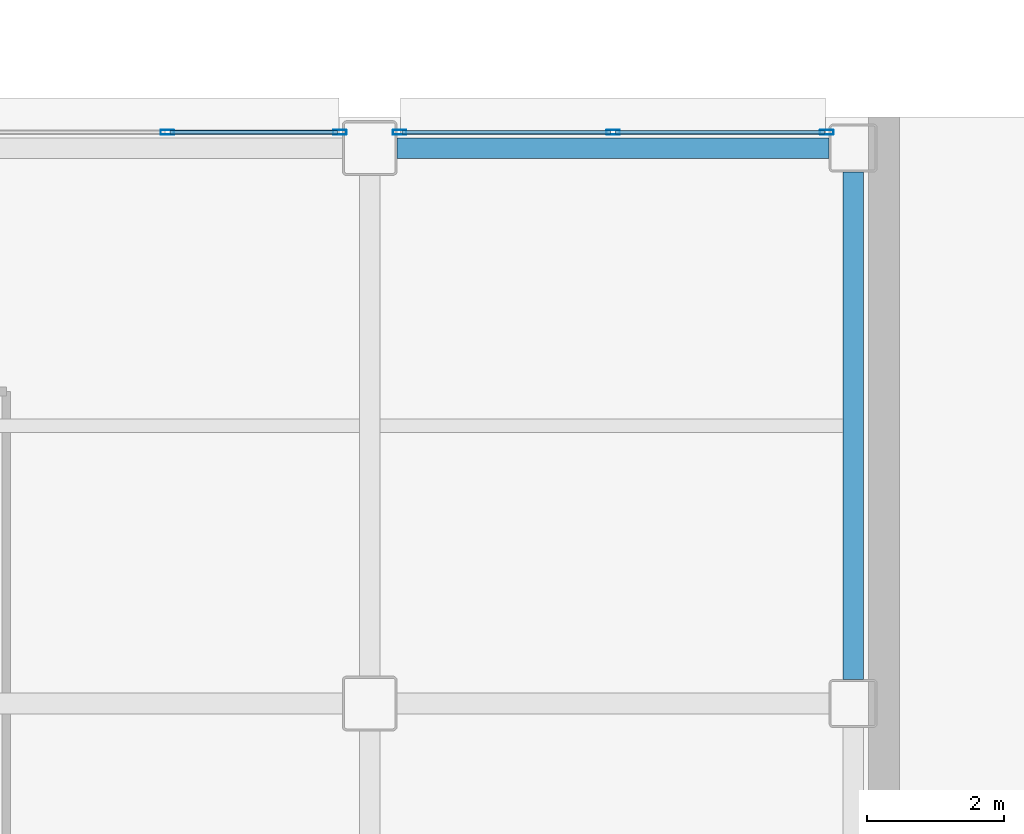
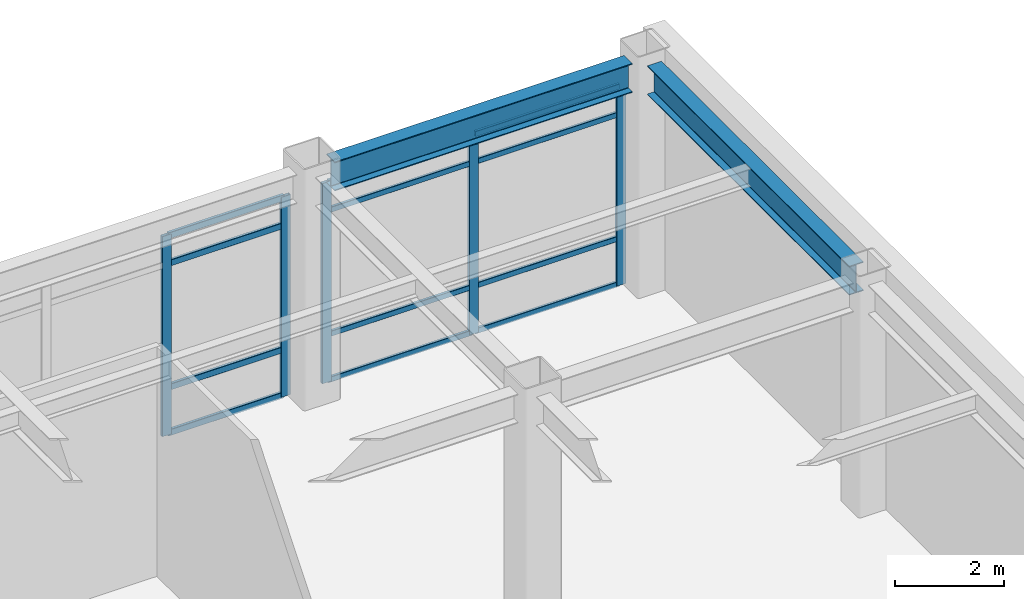
# One storey, part 108 of 165: 17 members, 2 beams, 2 elements without a shape of their own.
"""IFC4 building model written with IfcOpenShell, lengths in metres."""

from ifc_helpers import new_model, si_unit, direction, frame, origin, origin_2d, place, context, subcontext, project, spatial, hollow_rectangle, i_section, extrude, material, layer, layer_set, material_profile, profile_set, type_object, element, aggregate, save


model = new_model("IFC4")

# Units and contexts
model_context = context("Model", 3, precision=1e-05, world=origin(), true_north=direction((0.0, 1.0)))
body_context = subcontext(model_context, "Body", "Model", "MODEL_VIEW")
ifc_project = project(units=[si_unit("LENGTHUNIT", "METRE"), si_unit("AREAUNIT", "SQUARE_METRE"), si_unit("VOLUMEUNIT", "CUBIC_METRE"), si_unit("PLANEANGLEUNIT", "RADIAN"), si_unit("MASSUNIT", "GRAM", prefix="KILO")], contexts=[model_context])

# Site, building, storey
site_placement = place(None, origin())
site = spatial("IfcSite", under=ifc_project, at=site_placement, CompositionType="ELEMENT")
building_placement = place(site_placement, origin())
building = spatial("IfcBuilding", under=site, at=building_placement, Name="Kazehara Bluff Congress Hotel", CompositionType="ELEMENT")
storey_placement = place(building_placement, origin())
storey = spatial("IfcBuildingStorey", under=building, at=storey_placement, Name="L00", CompositionType="ELEMENT", Elevation=0.0)

# Curtain wall, members
ifc_material_1 = material(Name="Anodised aluminium", Category="aluminium")
ifc_layer_1 = layer(ifc_material_1, 0.159912109375)
ifc_layer_set_1 = layer_set([ifc_layer_1], Name="Anodised aluminium")
curtain_wall_type_1 = type_object("IfcCurtainWallType", Name="TP-CW-19", PredefinedType="NOTDEFINED", material=ifc_layer_set_1)
curtain_wall_1_placement = place(storey_placement, origin())
curtain_wall_1 = element("IfcCurtainWall", 1, at=curtain_wall_1_placement, inside=storey, type_object=curtain_wall_type_1, Name="L00 curtain wall CW-19 CW-ENC-V5-L00-15627-11378", PredefinedType="NOTDEFINED")
ifc_material_2 = material(Name="Anodised aluminium", Category="aluminium")
ifc_material_profile_1 = material_profile(ifc_material_2, hollow_rectangle(XDim=0.070068359375, YDim=0.199951171875, WallThickness=0.0048828125, InnerFilletRadius=0.0048828125, OuterFilletRadius=0.010009765625, at=origin_2d()))
ifc_profile_set_1 = profile_set([ifc_material_profile_1], Name="Anodised aluminium")
member_type_1 = type_object("IfcMemberType", Name="TP-CWM-03", PredefinedType="MULLION", material=ifc_profile_set_1)
member_1_placement = place(storey_placement, frame((157.550048828125, 113.780029296875, 0.0), z_axis=(0.0, 0.0, 1.0), x_axis=(0.0, 1.0, 0.0)))
member_1 = element("IfcMember", 2, at=member_1_placement, type_object=member_type_1, Name="CW-19 mullion 3", PredefinedType="MULLION", context=body_context, shape_type="SweptSolid", body=[
    extrude(hollow_rectangle(XDim=0.070068359375, YDim=0.199951171875, WallThickness=0.0048828125, InnerFilletRadius=0.0048828125, OuterFilletRadius=0.010009765625, at=origin_2d()), origin(), (0.0, 0.0, 1.0), 4.47509765625),
])
member_2_placement = place(storey_placement, frame((160.06494140625, 113.780029296875, 0.0), z_axis=(0.0, 0.0, 1.0), x_axis=(0.0, 1.0, 0.0)))
member_2 = element("IfcMember", 3, at=member_2_placement, type_object=member_type_1, Name="CW-19 mullion 4", PredefinedType="MULLION", context=body_context, shape_type="SweptSolid", body=[
    extrude(hollow_rectangle(XDim=0.070068359375, YDim=0.199951171875, WallThickness=0.0048828125, InnerFilletRadius=0.0048828125, OuterFilletRadius=0.010009765625, at=origin_2d()), origin(), (0.0, 0.0, 1.0), 4.47509765625),
])

ifc_material_3 = material(Name="Anodised aluminium", Category="aluminium")
ifc_layer_2 = layer(ifc_material_3, 0.159912109375)
ifc_layer_set_2 = layer_set([ifc_layer_2], Name="Anodised aluminium")
curtain_wall_type_2 = type_object("IfcCurtainWallType", Name="TP-CW-99", PredefinedType="NOTDEFINED", material=ifc_layer_set_2)
curtain_wall_2_placement = place(storey_placement, origin())
curtain_wall_2 = element("IfcCurtainWall", 4, at=curtain_wall_2_placement, inside=storey, type_object=curtain_wall_type_2, Name="L00 curtain wall CW-99 CW-ENC-V5-L00-16405-11378", PredefinedType="NOTDEFINED")
member_3_placement = place(storey_placement, frame((160.93505859375, 113.780029296875, 0.0), z_axis=(0.0, 0.0, 1.0), x_axis=(0.0, 1.0, 0.0)))
member_3 = element("IfcMember", 5, at=member_3_placement, type_object=member_type_1, Name="CW-99 mullion 1", PredefinedType="MULLION", context=body_context, shape_type="SweptSolid", body=[
    extrude(hollow_rectangle(XDim=0.070068359375, YDim=0.199951171875, WallThickness=0.0048828125, InnerFilletRadius=0.0048828125, OuterFilletRadius=0.010009765625, at=origin_2d()), origin(), (0.0, 0.0, 1.0), 4.47509765625),
])
member_4_placement = place(storey_placement, frame((164.050048828125, 113.780029296875, 0.0), z_axis=(0.0, 0.0, 1.0), x_axis=(0.0, 1.0, 0.0)))
member_4 = element("IfcMember", 6, at=member_4_placement, type_object=member_type_1, Name="CW-99 mullion 2", PredefinedType="MULLION", context=body_context, shape_type="SweptSolid", body=[
    extrude(hollow_rectangle(XDim=0.070068359375, YDim=0.199951171875, WallThickness=0.0048828125, InnerFilletRadius=0.0048828125, OuterFilletRadius=0.010009765625, at=origin_2d()), origin(), (0.0, 0.0, 1.0), 4.47509765625),
])
member_5_placement = place(storey_placement, frame((167.1650390625, 113.780029296875, 0.0), z_axis=(0.0, 0.0, 1.0), x_axis=(0.0, 1.0, 0.0)))
member_5 = element("IfcMember", 7, at=member_5_placement, type_object=member_type_1, Name="CW-99 mullion 3", PredefinedType="MULLION", context=body_context, shape_type="SweptSolid", body=[
    extrude(hollow_rectangle(XDim=0.070068359375, YDim=0.199951171875, WallThickness=0.0048828125, InnerFilletRadius=0.0048828125, OuterFilletRadius=0.010009765625, at=origin_2d()), origin(), (0.0, 0.0, 1.0), 4.47509765625),
])
ifc_material_4 = material(Name="Anodised aluminium", Category="aluminium")
ifc_material_profile_2 = material_profile(ifc_material_4, hollow_rectangle(XDim=0.06005859375, YDim=0.1201171875, WallThickness=0.00390625, InnerFilletRadius=0.00390625, OuterFilletRadius=0.008056640625, at=origin_2d()))
ifc_profile_set_2 = profile_set([ifc_material_profile_2], Name="Anodised aluminium")
member_type_2 = type_object("IfcMemberType", Name="TP-CWT-01", PredefinedType="USERDEFINED", material=ifc_profile_set_2)
member_6_placement = place(storey_placement, frame((160.969970703125, 113.780029296875, 0.030029296875), z_axis=(1.0, 0.0, 0.0), x_axis=(0.0, 1.0, 0.0)))
member_6 = element("IfcMember", 8, at=member_6_placement, type_object=member_type_2, Name="CW-99 transom 1.1", ObjectType="TRANSOM", PredefinedType="USERDEFINED", context=body_context, shape_type="SweptSolid", body=[
    extrude(hollow_rectangle(XDim=0.06005859375, YDim=0.1201171875, WallThickness=0.00390625, InnerFilletRadius=0.00390625, OuterFilletRadius=0.008056640625, at=origin_2d()), origin(), (0.0, 0.0, 1.0), 3.044921875),
])
member_7_placement = place(storey_placement, frame((160.969970703125, 113.780029296875, 1.050048828125), z_axis=(1.0, 0.0, 0.0), x_axis=(0.0, 1.0, 0.0)))
member_7 = element("IfcMember", 9, at=member_7_placement, type_object=member_type_2, Name="CW-99 transom 1.2", ObjectType="TRANSOM", PredefinedType="USERDEFINED", context=body_context, shape_type="SweptSolid", body=[
    extrude(hollow_rectangle(XDim=0.06005859375, YDim=0.1201171875, WallThickness=0.00390625, InnerFilletRadius=0.00390625, OuterFilletRadius=0.008056640625, at=origin_2d()), origin(), (0.0, 0.0, 1.0), 3.044921875),
])
member_8_placement = place(storey_placement, frame((160.969970703125, 113.780029296875, 3.824951171875), z_axis=(1.0, 0.0, 0.0), x_axis=(0.0, 1.0, 0.0)))
member_8 = element("IfcMember", 10, at=member_8_placement, type_object=member_type_2, Name="CW-99 transom 1.3", ObjectType="TRANSOM", PredefinedType="USERDEFINED", context=body_context, shape_type="SweptSolid", body=[
    extrude(hollow_rectangle(XDim=0.06005859375, YDim=0.1201171875, WallThickness=0.00390625, InnerFilletRadius=0.00390625, OuterFilletRadius=0.008056640625, at=origin_2d()), origin(), (0.0, 0.0, 1.0), 3.044921875),
])
member_9_placement = place(storey_placement, frame((160.969970703125, 113.780029296875, 4.445068359375), z_axis=(1.0, 0.0, 0.0), x_axis=(0.0, 1.0, 0.0)))
member_9 = element("IfcMember", 11, at=member_9_placement, type_object=member_type_2, Name="CW-99 transom 1.4", ObjectType="TRANSOM", PredefinedType="USERDEFINED", context=body_context, shape_type="SweptSolid", body=[
    extrude(hollow_rectangle(XDim=0.06005859375, YDim=0.1201171875, WallThickness=0.00390625, InnerFilletRadius=0.00390625, OuterFilletRadius=0.008056640625, at=origin_2d()), origin(), (0.0, 0.0, 1.0), 3.044921875),
])
member_10_placement = place(storey_placement, frame((164.0849609375, 113.780029296875, 0.030029296875), z_axis=(1.0, 0.0, 0.0), x_axis=(0.0, 1.0, 0.0)))
member_10 = element("IfcMember", 12, at=member_10_placement, type_object=member_type_2, Name="CW-99 transom 2.1", ObjectType="TRANSOM", PredefinedType="USERDEFINED", context=body_context, shape_type="SweptSolid", body=[
    extrude(hollow_rectangle(XDim=0.06005859375, YDim=0.1201171875, WallThickness=0.00390625, InnerFilletRadius=0.00390625, OuterFilletRadius=0.008056640625, at=origin_2d()), origin(), (0.0, 0.0, 1.0), 3.044921875),
])
member_11_placement = place(storey_placement, frame((164.0849609375, 113.780029296875, 1.050048828125), z_axis=(1.0, 0.0, 0.0), x_axis=(0.0, 1.0, 0.0)))
member_11 = element("IfcMember", 13, at=member_11_placement, type_object=member_type_2, Name="CW-99 transom 2.2", ObjectType="TRANSOM", PredefinedType="USERDEFINED", context=body_context, shape_type="SweptSolid", body=[
    extrude(hollow_rectangle(XDim=0.06005859375, YDim=0.1201171875, WallThickness=0.00390625, InnerFilletRadius=0.00390625, OuterFilletRadius=0.008056640625, at=origin_2d()), origin(), (0.0, 0.0, 1.0), 3.044921875),
])
member_12_placement = place(storey_placement, frame((164.0849609375, 113.780029296875, 3.824951171875), z_axis=(1.0, 0.0, 0.0), x_axis=(0.0, 1.0, 0.0)))
member_12 = element("IfcMember", 14, at=member_12_placement, type_object=member_type_2, Name="CW-99 transom 2.3", ObjectType="TRANSOM", PredefinedType="USERDEFINED", context=body_context, shape_type="SweptSolid", body=[
    extrude(hollow_rectangle(XDim=0.06005859375, YDim=0.1201171875, WallThickness=0.00390625, InnerFilletRadius=0.00390625, OuterFilletRadius=0.008056640625, at=origin_2d()), origin(), (0.0, 0.0, 1.0), 3.044921875),
])
member_13_placement = place(storey_placement, frame((164.0849609375, 113.780029296875, 4.445068359375), z_axis=(1.0, 0.0, 0.0), x_axis=(0.0, 1.0, 0.0)))
member_13 = element("IfcMember", 15, at=member_13_placement, type_object=member_type_2, Name="CW-99 transom 2.4", ObjectType="TRANSOM", PredefinedType="USERDEFINED", context=body_context, shape_type="SweptSolid", body=[
    extrude(hollow_rectangle(XDim=0.06005859375, YDim=0.1201171875, WallThickness=0.00390625, InnerFilletRadius=0.00390625, OuterFilletRadius=0.008056640625, at=origin_2d()), origin(), (0.0, 0.0, 1.0), 3.044921875),
])
aggregate(curtain_wall_2, [member_3, member_4, member_5, member_6, member_7, member_8, member_9, member_10, member_11, member_12, member_13])

# Member
ifc_material_5 = material(Name="Anodised aluminium", Category="aluminium")
ifc_material_profile_3 = material_profile(ifc_material_5, hollow_rectangle(XDim=0.06494140625, YDim=0.139892578125, WallThickness=0.00390625, InnerFilletRadius=0.00390625, OuterFilletRadius=0.008056640625, at=origin_2d()))
ifc_profile_set_3 = profile_set([ifc_material_profile_3], Name="Anodised aluminium")
member_type_3 = type_object("IfcMemberType", Name="TP-CWT-02", PredefinedType="USERDEFINED", material=ifc_profile_set_3)
member_14_placement = place(storey_placement, frame((157.5849609375, 113.780029296875, 0.032470703125), z_axis=(1.0, 0.0, 0.0), x_axis=(0.0, 1.0, 0.0)))
member_14 = element("IfcMember", 16, at=member_14_placement, type_object=member_type_3, Name="CW-19 transom 3.1", ObjectType="TRANSOM", PredefinedType="USERDEFINED", context=body_context, shape_type="SweptSolid", body=[
    extrude(hollow_rectangle(XDim=0.06494140625, YDim=0.139892578125, WallThickness=0.00390625, InnerFilletRadius=0.00390625, OuterFilletRadius=0.008056640625, at=origin_2d()), origin(), (0.0, 0.0, 1.0), 2.445068359375),
])

member_15_placement = place(storey_placement, frame((157.5849609375, 113.780029296875, 1.050048828125), z_axis=(1.0, 0.0, 0.0), x_axis=(0.0, 1.0, 0.0)))
member_15 = element("IfcMember", 17, at=member_15_placement, type_object=member_type_3, Name="CW-19 transom 3.2", ObjectType="TRANSOM", PredefinedType="USERDEFINED", context=body_context, shape_type="SweptSolid", body=[
    extrude(hollow_rectangle(XDim=0.06494140625, YDim=0.139892578125, WallThickness=0.00390625, InnerFilletRadius=0.00390625, OuterFilletRadius=0.008056640625, at=origin_2d()), origin(), (0.0, 0.0, 1.0), 2.445068359375),
])

member_16_placement = place(storey_placement, frame((157.5849609375, 113.780029296875, 3.824951171875), z_axis=(1.0, 0.0, 0.0), x_axis=(0.0, 1.0, 0.0)))
member_16 = element("IfcMember", 18, at=member_16_placement, type_object=member_type_3, Name="CW-19 transom 3.3", ObjectType="TRANSOM", PredefinedType="USERDEFINED", context=body_context, shape_type="SweptSolid", body=[
    extrude(hollow_rectangle(XDim=0.06494140625, YDim=0.139892578125, WallThickness=0.00390625, InnerFilletRadius=0.00390625, OuterFilletRadius=0.008056640625, at=origin_2d()), origin(), (0.0, 0.0, 1.0), 2.445068359375),
])

member_17_placement = place(storey_placement, frame((157.5849609375, 113.780029296875, 4.4423828125), z_axis=(1.0, 0.0, 0.0), x_axis=(0.0, 1.0, 0.0)))
member_17 = element("IfcMember", 19, at=member_17_placement, type_object=member_type_3, Name="CW-19 transom 3.4", ObjectType="TRANSOM", PredefinedType="USERDEFINED", context=body_context, shape_type="SweptSolid", body=[
    extrude(hollow_rectangle(XDim=0.06494140625, YDim=0.139892578125, WallThickness=0.00390625, InnerFilletRadius=0.00390625, OuterFilletRadius=0.008056640625, at=origin_2d()), origin(), (0.0, 0.0, 1.0), 2.445068359375),
])

aggregate(curtain_wall_1, [member_1, member_2, member_14, member_15, member_16, member_17])

# Beams
ifc_material_6 = material(Name="Steel SN490B", Category="steel")
ifc_material_profile_4 = material_profile(ifc_material_6, i_section(OverallWidth=0.300048828125, OverallDepth=0.64990234375, WebThickness=0.011962890625, FlangeThickness=0.02001953125, FilletRadius=0.012939453125, at=origin_2d()))
ifc_profile_set_4 = profile_set([ifc_material_profile_4], Name="Steel SN490B")
beam_type = type_object("IfcBeamType", Name="TP-G-03", PredefinedType="BEAM", material=ifc_profile_set_4)
beam_1_placement = place(storey_placement, frame((167.550048828125, 105.800048828125, 4.824951171875), z_axis=(0.0, 1.0, 0.0), x_axis=(-1.0, 0.0, 0.0)))
element("IfcBeam", 20, at=beam_1_placement, inside=storey, type_object=beam_type, Name="L00 girder G-03 270", PredefinedType="BEAM", context=body_context, shape_type="SweptSolid", body=[
    extrude(i_section(OverallWidth=0.300048828125, OverallDepth=0.64990234375, WebThickness=0.011962890625, FlangeThickness=0.02001953125, FilletRadius=0.012939453125, at=origin_2d()), origin(), (0.0, 0.0, 1.0), 7.39990234375),
])
beam_2_placement = place(storey_placement, frame((160.89990234375, 113.550048828125, 4.824951171875), z_axis=(1.0, 0.0, 0.0), x_axis=(0.0, 1.0, 0.0)))
element("IfcBeam", 21, at=beam_2_placement, inside=storey, type_object=beam_type, Name="L00 girder G-03 318", PredefinedType="BEAM", context=body_context, shape_type="SweptSolid", body=[
    extrude(i_section(OverallWidth=0.300048828125, OverallDepth=0.64990234375, WebThickness=0.011962890625, FlangeThickness=0.02001953125, FilletRadius=0.012939453125, at=origin_2d()), origin(), (0.0, 0.0, 1.0), 6.300048828125),
])

save(model, "model.ifc")
